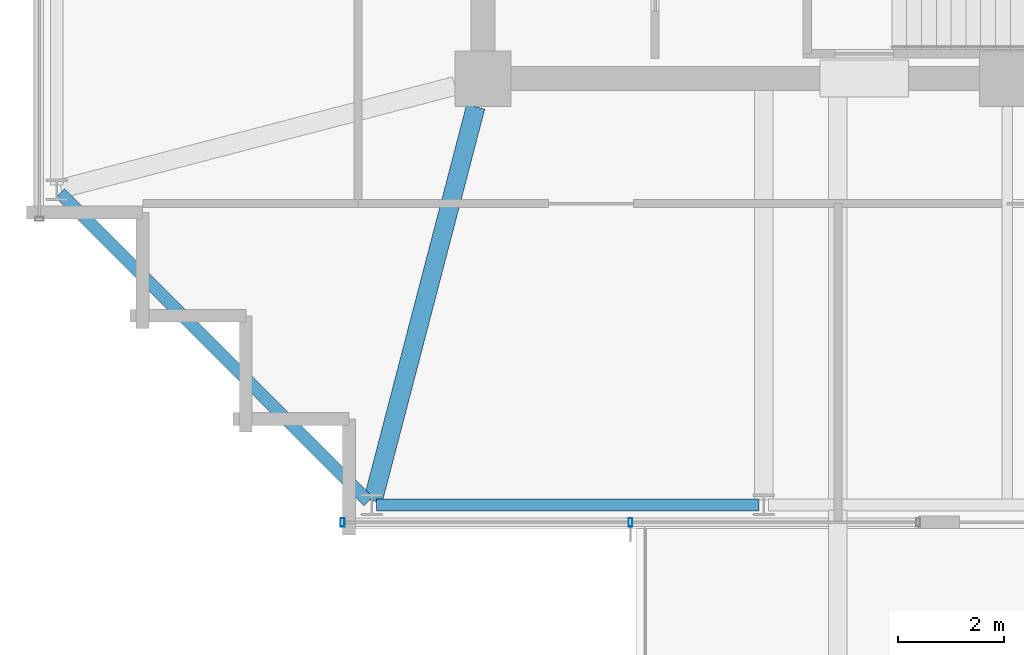
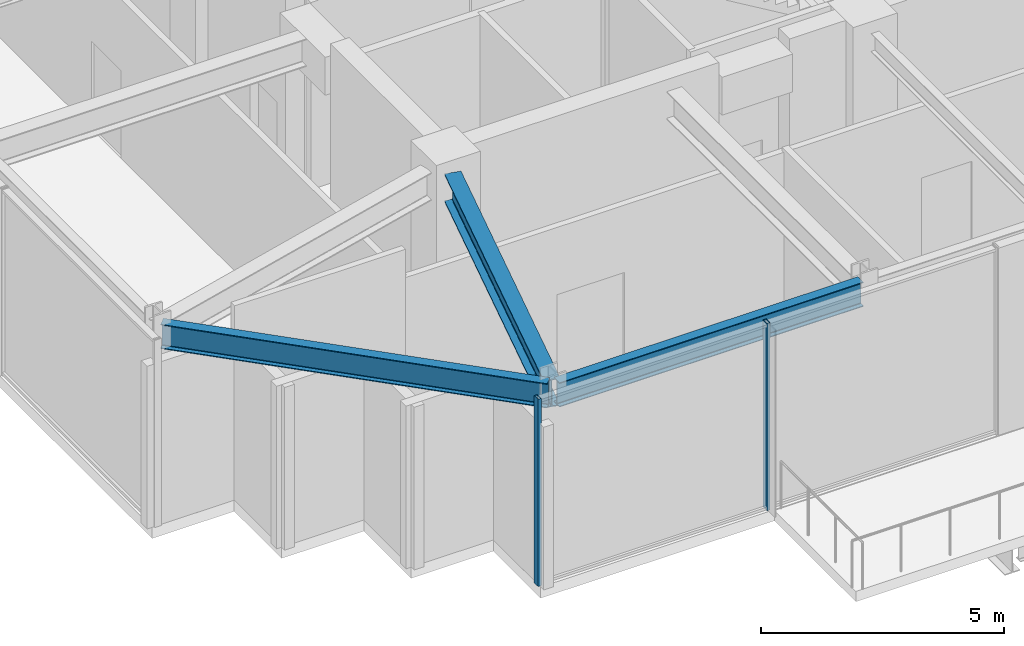
# One storey, part 2 of 31: 3 beams, 2 members, 1 element without a shape of its own.
"""IFC4 building model written with IfcOpenShell, lengths in metres."""

from ifc_helpers import new_model, si_unit, direction, frame, origin, origin_2d, place, context, subcontext, project, spatial, hollow_rectangle, i_section, extrude, material, material_profile, profile_set, type_object, element, aggregate, save


model = new_model("IFC4")

# Units and contexts
model_context = context("Model", 3, precision=1e-05, world=origin(), true_north=direction((0.0, 1.0)))
body_context = subcontext(model_context, "Body", "Model", "MODEL_VIEW")
ifc_project = project(units=[si_unit("LENGTHUNIT", "METRE"), si_unit("AREAUNIT", "SQUARE_METRE"), si_unit("VOLUMEUNIT", "CUBIC_METRE"), si_unit("PLANEANGLEUNIT", "RADIAN"), si_unit("MASSUNIT", "GRAM", prefix="KILO")], contexts=[model_context])

# Site, building, storey
site_placement = place(None, origin())
site = spatial("IfcSite", under=ifc_project, at=site_placement, CompositionType="ELEMENT")
building_placement = place(site_placement, origin())
building = spatial("IfcBuilding", under=site, at=building_placement, Name="Kolvaren Belvedere", CompositionType="ELEMENT")
storey_placement = place(building_placement, frame((0.0, 0.0, 267.39990234375)))
storey = spatial("IfcBuildingStorey", under=building, at=storey_placement, Name="L77", CompositionType="ELEMENT", Elevation=267.39990234375)

# Beams
ifc_material_1 = material(Name="Structural steel ASTM A992 Grade 50", Category="steel")
ifc_material_profile_1 = material_profile(ifc_material_1, i_section(OverallWidth=0.35498046875, OverallDepth=0.696044921875, WebThickness=0.015380859375, FlangeThickness=0.02490234375, FilletRadius=0.02197265625, at=origin_2d()), Name="W27X146")
ifc_profile_set_1 = profile_set([ifc_material_profile_1], Name="Structural steel ASTM A992 Grade 50")
beam_type_1 = type_object("IfcBeamType", Name="BM-GIRD-W27X146", PredefinedType="BEAM", material=ifc_profile_set_1)
beam_1_placement = place(storey_placement, frame((-10.038818359375, -10.43212890625, 4.35205078125), z_axis=(-0.252430946281, -0.967614911708, 0.0), x_axis=(0.967614911708, -0.252430946281, 0.0)))
element("IfcBeam", 1, at=beam_1_placement, inside=storey, type_object=beam_type_1, Name="L77 Corner Core-to-Perimeter Girder CC1-S1", PredefinedType="BEAM", context=body_context, shape_type="SweptSolid", body=[
    extrude(i_section(OverallWidth=0.35498046875, OverallDepth=0.696044921875, WebThickness=0.015380859375, FlangeThickness=0.02490234375, FilletRadius=0.02197265625, at=origin_2d()), origin(), (0.0, 0.0, 1.0), 7.68798828125),
])
ifc_material_2 = material(Name="Structural steel ASTM A992 Grade 50", Category="steel")
ifc_material_profile_2 = material_profile(ifc_material_2, i_section(OverallWidth=0.22900390625, OverallDepth=0.612060546875, WebThickness=0.011962890625, FlangeThickness=0.01953125, FilletRadius=0.01806640625, at=origin_2d()), Name="W24X84")
ifc_profile_set_2 = profile_set([ifc_material_profile_2], Name="Structural steel ASTM A992 Grade 50")
beam_type_2 = type_object("IfcBeamType", Name="BM-SPAN-W24X84", PredefinedType="SPANDREL", material=ifc_profile_set_2)
beam_2_placement = place(storey_placement, frame((-11.908447265625, -17.949951171875, 4.39404296875), z_axis=(1.0, 0.0, 0.0), x_axis=(0.0, 1.0, 0.0)))
element("IfcBeam", 2, at=beam_2_placement, inside=storey, type_object=beam_type_2, Name="L77 Perimeter Spandrel S1-S2", PredefinedType="SPANDREL", context=body_context, shape_type="SweptSolid", body=[
    extrude(i_section(OverallWidth=0.22900390625, OverallDepth=0.612060546875, WebThickness=0.011962890625, FlangeThickness=0.01953125, FilletRadius=0.01806640625, at=origin_2d()), origin(), (0.0, 0.0, 1.0), 7.216796875),
])
beam_3_placement = place(storey_placement, frame((-17.88525390625, -12.064697265625, 4.39404296875), z_axis=(0.707106781187, -0.707106781187, 0.0), x_axis=(0.707106781187, 0.707106781187, 0.0)))
element("IfcBeam", 3, at=beam_3_placement, inside=storey, type_object=beam_type_2, Name="L77 Perimeter Spandrel W1-S1", PredefinedType="SPANDREL", context=body_context, shape_type="SweptSolid", body=[
    extrude(i_section(OverallWidth=0.22900390625, OverallDepth=0.612060546875, WebThickness=0.011962890625, FlangeThickness=0.01953125, FilletRadius=0.01806640625, at=origin_2d()), origin(), (0.0, 0.0, 1.0), 8.2314453125),
])

# Curtain wall, members
ifc_material_3 = material(Name="Anodised pale-metal aluminium AA 6063-T6", Category="aluminium")
curtain_wall_type = type_object("IfcCurtainWallType", Name="CW-CRN-OBS", PredefinedType="NOTDEFINED", material=ifc_material_3)
curtain_wall_placement = place(storey_placement, origin())
curtain_wall = element("IfcCurtainWall", 4, at=curtain_wall_placement, inside=storey, type_object=curtain_wall_type, Name="L77 Unitised Curtain Wall FCW-L77-S2", PredefinedType="NOTDEFINED")
ifc_material_4 = material(Name="Anodised pale-metal aluminium AA 6063-T6", Category="aluminium")
ifc_material_profile_3 = material_profile(ifc_material_4, hollow_rectangle(XDim=0.074951171875, YDim=0.159912109375, WallThickness=0.00439453125, at=origin_2d()), Name="ALU-MUL-160X75")
ifc_profile_set_3 = profile_set([ifc_material_profile_3], Name="Anodised pale-metal aluminium AA 6063-T6")
member_type = type_object("IfcMemberType", Name="CW-MUL-160", PredefinedType="MULLION", material=ifc_profile_set_3)
member_1_placement = place(storey_placement, frame((-7.114990234375, -18.280029296875, 0.0), z_axis=(0.0, 0.0, 1.0), x_axis=(1.0, 0.0, 0.0)))
member_1 = element("IfcMember", 5, at=member_1_placement, type_object=member_type, Name="FCW-L77-S2 Unitised Mullion 2", PredefinedType="MULLION", context=body_context, shape_type="SweptSolid", body=[
    extrude(hollow_rectangle(XDim=0.074951171875, YDim=0.159912109375, WallThickness=0.00439453125, at=origin_2d()), origin(), (0.0, 0.0, 1.0), 4.7001953125),
])
member_2_placement = place(storey_placement, frame((-12.550048828125, -18.280029296875, 0.0), z_axis=(0.0, 0.0, 1.0), x_axis=(1.0, 0.0, 0.0)))
member_2 = element("IfcMember", 6, at=member_2_placement, type_object=member_type, Name="FCW-L77-S2 Unitised Mullion 3", PredefinedType="MULLION", context=body_context, shape_type="SweptSolid", body=[
    extrude(hollow_rectangle(XDim=0.074951171875, YDim=0.159912109375, WallThickness=0.00439453125, at=origin_2d()), origin(), (0.0, 0.0, 1.0), 4.7001953125),
])
aggregate(curtain_wall, [member_1, member_2])

save(model, "model.ifc")
